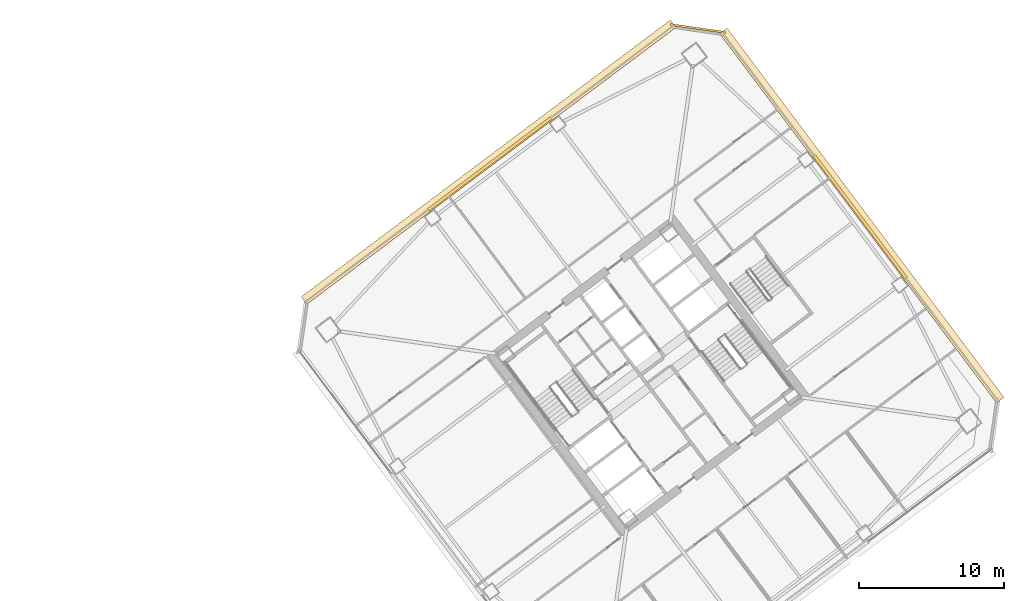
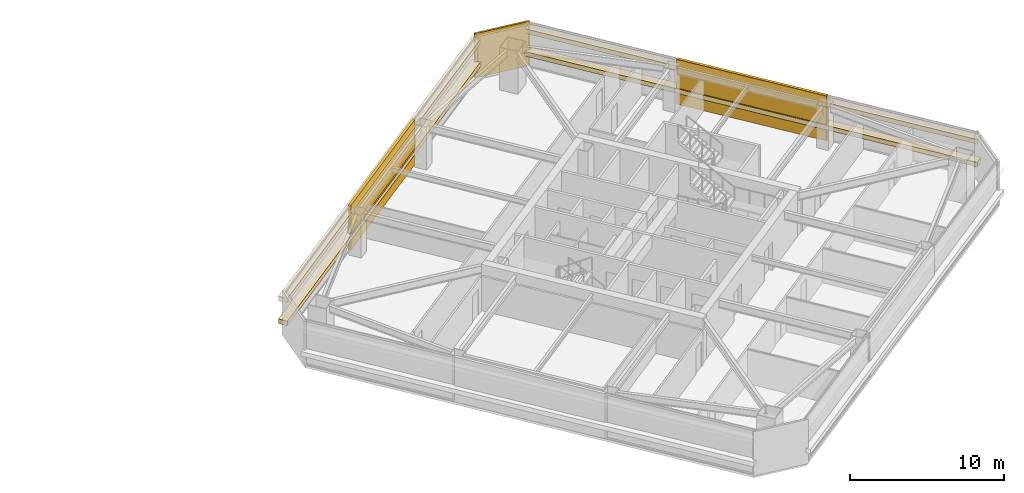
# One storey, part 41 of 41: 7 coverings.
"""IFC4 building model written with IfcOpenShell, lengths in metres."""

import ifcopenshell
import ifcopenshell.guid

model = None  # the IFC model being written
_history = None  # IfcOwnerHistory: only IFC2X3 demands one
_inside = {}  # id of a spatial element -> (the spatial element, [elements in it])
_under = {}  # id of a project, library or spatial element -> (it, [spatial elements below it])
_declared = {}  # id of a project -> (the project, [libraries it declares])
_typed = {}  # id of a type object -> (the type object, [elements of that type])
_made_of = {}  # id of a material, layer set ... -> (it, [elements and type objects made of it])


def new_model(schema):
    """Start an empty IFC model of exactly this schema.

    Asked for "IFC4X3", IfcOpenShell would pick the latest addendum, in which some entities
    have other attributes; the version numbers below select the first issue.
    IFC2X3 requires an IfcOwnerHistory on every rooted entity: one is made here for all.
    """
    global model, _history
    if schema == "IFC4X3":
        model = ifcopenshell.file(schema_version=(4, 3, 0, 0))
    else:
        model = ifcopenshell.file(schema=schema)
    _inside.clear()
    _under.clear()
    _declared.clear()
    _typed.clear()
    _made_of.clear()
    _history = None
    if model.schema == "IFC2X3":
        org = make("IfcOrganization", Name="unknown")
        user = make(
            "IfcPersonAndOrganization",
            ThePerson=make("IfcPerson", FamilyName="unknown"),
            TheOrganization=org,
        )
        app = make(
            "IfcApplication",
            ApplicationDeveloper=org,
            Version="unknown",
            ApplicationFullName="unknown",
            ApplicationIdentifier="unknown",
        )
        _history = make(
            "IfcOwnerHistory",
            OwningUser=user,
            OwningApplication=app,
            ChangeAction="ADDED",
            CreationDate=0,
        )
    return model


def make(cls, **values):
    """One entity of the class cls with the attributes given. An attribute that is None is left unset."""
    return model.create_entity(
        cls, **{name: value for name, value in values.items() if value is not None}
    )


def rooted(cls, **values):
    """An entity with a GlobalId (a new one), such as an element, a storey or a relation."""
    return make(cls, GlobalId=ifcopenshell.guid.new(), OwnerHistory=_history, **values)


def si_unit(unit_type, name, prefix=None):
    """IfcSIUnit, for example si_unit("LENGTHUNIT", "METRE", prefix="MILLI")."""
    return make("IfcSIUnit", UnitType=unit_type, Prefix=prefix, Name=name)


def assignment(units):
    """IfcUnitAssignment: the units of a project."""
    return None if units is None else make("IfcUnitAssignment", Units=units)


def point(xyz):
    """IfcCartesianPoint."""
    return None if xyz is None else make("IfcCartesianPoint", Coordinates=xyz)


def direction(xyz):
    """IfcDirection."""
    return None if xyz is None else make("IfcDirection", DirectionRatios=xyz)


def frame(location, z_axis=None, x_axis=None):
    """IfcAxis2Placement3D, a coordinate frame: its origin and axes. An axis left out is left unset."""
    return make(
        "IfcAxis2Placement3D",
        Location=point(location),
        Axis=direction(z_axis),
        RefDirection=direction(x_axis),
    )


def frame_2d(location, x_axis=None):
    """IfcAxis2Placement2D, a coordinate frame in the plane: its origin and x axis."""
    return make(
        "IfcAxis2Placement2D", Location=point(location), RefDirection=direction(x_axis)
    )


def origin():
    """The frame at (0, 0, 0) with its axes left unset."""
    return frame((0.0, 0.0, 0.0))


def origin_2d():
    """The frame at (0, 0) in the plane with its x axis left unset."""
    return frame_2d((0.0, 0.0))


def place(relative_to, where):
    """IfcLocalPlacement: puts the frame where relative to a parent placement (None: the world)."""
    return make(
        "IfcLocalPlacement", PlacementRelTo=relative_to, RelativePlacement=where
    )


def context(
    kind, dimensions, precision=None, world=None, true_north=None, identifier=None
):
    """IfcGeometricRepresentationContext, for example the 3D "Model" context."""
    return make(
        "IfcGeometricRepresentationContext",
        ContextIdentifier=identifier,
        ContextType=kind,
        CoordinateSpaceDimension=dimensions,
        Precision=precision,
        WorldCoordinateSystem=world,
        TrueNorth=true_north,
    )


def subcontext(parent, identifier, kind, view, scale=None):
    """IfcGeometricRepresentationSubContext, for example "Body" below "Model"."""
    return make(
        "IfcGeometricRepresentationSubContext",
        ContextIdentifier=identifier,
        ContextType=kind,
        ParentContext=parent,
        TargetScale=scale,
        TargetView=view,
    )


def project(units=None, contexts=None):
    """IfcProject with its units and contexts."""
    return rooted(
        "IfcProject",
        Name="project",
        RepresentationContexts=contexts,
        UnitsInContext=assignment(units),
    )


def spatial(cls, under=None, at=None, **own):
    """A site, building, storey or space (cls), placed at a placement, below another one or the project."""
    s = rooted(cls, ObjectPlacement=at, **own)
    if under is not None:
        _under.setdefault(under.id(), (under, []))[1].append(s)
    return s


def profile(cls, at=None, kind="AREA", **sizes):
    """A parametric profile (cls). Its sizes go by their IFC names, for example OverallWidth=200.0."""
    return make(cls, ProfileType=kind, Position=at, **sizes)


def rectangle(**sizes):
    """IfcRectangleProfileDef."""
    return profile("IfcRectangleProfileDef", **sizes)


def extrude(swept, where, along, depth):
    """IfcExtrudedAreaSolid: the profile swept, set in the frame where, extruded along a direction by depth."""
    return make(
        "IfcExtrudedAreaSolid",
        SweptArea=swept,
        Position=where,
        ExtrudedDirection=direction(along),
        Depth=depth,
    )


def shape(context_of_items, identifier, shape_type, items):
    """IfcShapeRepresentation: the items that make up one representation, for example the "Body"."""
    return make(
        "IfcShapeRepresentation",
        ContextOfItems=context_of_items,
        RepresentationIdentifier=identifier,
        RepresentationType=shape_type,
        Items=items,
    )


def material(Name=None, Category=None):
    """IfcMaterial."""
    return make("IfcMaterial", Name=Name, Category=Category)


def layer(
    of_material, thickness, ventilated=None, Name=None, Category=None, Priority=None
):
    """IfcMaterialLayer: one layer of a wall or slab, of a material (None: an air gap)."""
    return make(
        "IfcMaterialLayer",
        Material=of_material,
        LayerThickness=thickness,
        IsVentilated=ventilated,
        Name=Name,
        Category=Category,
        Priority=Priority,
    )


def layer_set(layers, Name=None):
    """IfcMaterialLayerSet."""
    return make("IfcMaterialLayerSet", MaterialLayers=layers, LayerSetName=Name)


def made_of(thing, what):
    """Note that an element or type object is made of a material, layer set ...; save() writes the relation."""
    if what is not None:
        _made_of.setdefault(what.id(), (what, []))[1].append(thing)
    return thing


def type_object(cls, material=None, **own):
    """A type object (cls), such as IfcWallType, which elements share."""
    return made_of(rooted(cls, **own), material)


def element(
    cls,
    number,
    at=None,
    inside=None,
    cuts=None,
    type_object=None,
    material=None,
    context=None,
    identifier="Body",
    shape_type=None,
    held_by="IfcProductDefinitionShape",
    body=None,
    shapes=None,
    **own,
):
    """One element of the class cls, such as IfcWall. Its Tag is "e" and its number.

    at: its placement. inside: the storey or other place that contains it. cuts: it is an
    opening in that element (IfcRelVoidsElement). A single representation is given by context,
    identifier, shape_type and body (its items); several are given by shapes. held_by: the class
    of the entity that holds the representations. save() writes the other relations.
    """
    e = rooted(cls, Tag="e%d" % number, ObjectPlacement=at, **own)
    if body is not None:
        shapes = [shape(context, identifier, shape_type, body)]
    if shapes is not None:
        e.Representation = make(held_by, Representations=shapes)
    if inside is not None:
        _inside.setdefault(inside.id(), (inside, []))[1].append(e)
    if cuts is not None:
        rooted(
            "IfcRelVoidsElement", RelatingBuildingElement=cuts, RelatedOpeningElement=e
        )
    if type_object is not None:
        _typed.setdefault(type_object.id(), (type_object, []))[1].append(e)
    return made_of(e, material)


def aggregate(whole, parts):
    """IfcRelAggregates: a whole, such as a stair, and the parts it consists of."""
    return rooted("IfcRelAggregates", RelatingObject=whole, RelatedObjects=parts)


def save(model, path):
    """Write the relations noted so far, then the file.

    IfcRelAggregates (storeys below a building ...), IfcRelContainedInSpatialStructure (elements
    in a storey), IfcRelDefinesByType, IfcRelAssociatesMaterial and IfcRelDeclares: one each for
    every whole, place, type object, material and project.
    """
    for whole, parts in _under.values():
        aggregate(whole, parts)
    for where, things in _inside.values():
        rooted(
            "IfcRelContainedInSpatialStructure",
            RelatedElements=things,
            RelatingStructure=where,
        )
    for kind, things in _typed.values():
        rooted("IfcRelDefinesByType", RelatedObjects=things, RelatingType=kind)
    for what, things in _made_of.values():
        rooted("IfcRelAssociatesMaterial", RelatedObjects=things, RelatingMaterial=what)
    for by, libraries in _declared.values():
        rooted("IfcRelDeclares", RelatingContext=by, RelatedDefinitions=libraries)
    model.write(path)


model = new_model("IFC4")

# Units and contexts
model_context = context("Model", 3, precision=1e-05, world=origin(), true_north=direction((0.0, 1.0)))
body_context = subcontext(model_context, "Body", "Model", "MODEL_VIEW")
ifc_project = project(units=[si_unit("LENGTHUNIT", "METRE"), si_unit("AREAUNIT", "SQUARE_METRE"), si_unit("VOLUMEUNIT", "CUBIC_METRE"), si_unit("PLANEANGLEUNIT", "RADIAN"), si_unit("MASSUNIT", "GRAM", prefix="KILO")], contexts=[model_context])

# Site, building, storey
site_placement = place(None, origin())
site = spatial("IfcSite", under=ifc_project, at=site_placement, CompositionType="ELEMENT")
building_placement = place(site_placement, origin())
building = spatial("IfcBuilding", under=site, at=building_placement, Name="Tashvorn Skyway Center", CompositionType="ELEMENT")
storey_placement = place(building_placement, frame((0.0, 0.0, 117.949951171875)))
storey = spatial("IfcBuildingStorey", under=building, at=storey_placement, Name="L31", CompositionType="ELEMENT", Elevation=117.949951171875)

# Coverings
ifc_material_1 = material(Name="Precast concrete C40/50", Category="concrete")
ifc_layer_1 = layer(ifc_material_1, 0.199951171875)
ifc_layer_set_1 = layer_set([ifc_layer_1], Name="Precast concrete C40/50")
covering_type_1 = type_object("IfcCoveringType", Name="COV-BRACE-CLAD", PredefinedType="CLADDING", material=ifc_layer_set_1)
for number, where, z_axis, x_axis, name in (
    (1, (103.031982421875, 46.6240234375, 0.0), (0.0, 0.0, 1.0), (0.799999996291, 0.600000004945, 0.0), "Tower 2 L31 North Unitised Curtain Wall Mega-Brace Cladding Band 1"),
    (2, (128.6240234375, 42.968017578125, 0.0), (0.0, 0.0, 1.0), (0.600000004945, -0.799999996291, 0.0), "Tower 2 L31 East Unitised Curtain Wall Mega-Brace Cladding Band 1"),
):
    element("IfcCovering", number, at=place(storey_placement, frame(where, z_axis=z_axis, x_axis=x_axis)), inside=storey, type_object=covering_type_1, Name=name, PredefinedType="CLADDING", context=body_context, shape_type="SweptSolid", body=[
        extrude(rectangle(XDim=10.586669921875, YDim=0.199951171875, at=origin_2d()), origin(), (0.0, 0.0, 1.0), 3.550048828125),
    ])
ifc_material_2 = material(Name="Perforated ceramic-coated bronze aluminium solar screen", Category="aluminium")
ifc_layer_2 = layer(ifc_material_2, 0.85009765625)
ifc_layer_set_2 = layer_set([ifc_layer_2], Name="Perforated ceramic-coated bronze aluminium solar screen")
covering_type_2 = type_object("IfcCoveringType", Name="COV-SOLAR-BAND", PredefinedType="CLADDING", material=ifc_layer_set_2)
for number, where, z_axis, x_axis, name in (
    (3, (102.947998046875, 46.736083984375, 0.919921875), (0.0, 0.0, 1.0), (0.799999996291, 0.600000004945, 0.0), "L31 Perforated Ceramic-Metal Solar Screen Louvre Band North 1"),
    (4, (102.947998046875, 46.736083984375, 2.72021484375), (0.0, 0.0, 1.0), (0.799999996291, 0.600000004945, 0.0), "L31 Perforated Ceramic-Metal Solar Screen Louvre Band North 2"),
    (5, (128.736083984375, 43.052001953125, 0.919921875), (0.0, 0.0, 1.0), (0.600000004945, -0.799999996291, 0.0), "L31 Perforated Ceramic-Metal Solar Screen Louvre Band East 1"),
    (6, (128.736083984375, 43.052001953125, 2.72021484375), (0.0, 0.0, 1.0), (0.600000004945, -0.799999996291, 0.0), "L31 Perforated Ceramic-Metal Solar Screen Louvre Band East 2"),
):
    element("IfcCovering", number, at=place(storey_placement, frame(where, z_axis=z_axis, x_axis=x_axis)), inside=storey, type_object=covering_type_2, Name=name, PredefinedType="CLADDING", context=body_context, shape_type="SweptSolid", body=[
        extrude(rectangle(XDim=31.8798828125, YDim=0.639892578125, at=origin_2d()), origin(), (0.0, 0.0, 1.0), 0.360107421875),
    ])
ifc_layer_3 = layer(ifc_material_1, 0.35009765625)
ifc_layer_set_3 = layer_set([ifc_layer_3], Name="Precast concrete C40/50")
covering_type_3 = type_object("IfcCoveringType", Name="COV-STONE-TRIM", PredefinedType="CLADDING", material=ifc_layer_set_3)
covering_placement = place(storey_placement, frame((117.424072265625, 55.968017578125, 0.02001953125), z_axis=(0.0, 0.0, 1.0), x_axis=(0.989949494535, -0.141421350118, 0.0)))
element("IfcCovering", 7, at=covering_placement, inside=storey, type_object=covering_type_3, Name="Tower 2 L31 NE Mojave Limestone Corner Quoin", PredefinedType="CLADDING", context=body_context, shape_type="SweptSolid", body=[
    extrude(rectangle(XDim=3.8369140625, YDim=0.139892578125, at=origin_2d()), origin(), (0.0, 0.0, 1.0), 3.510009765625),
])

save(model, "model.ifc")
